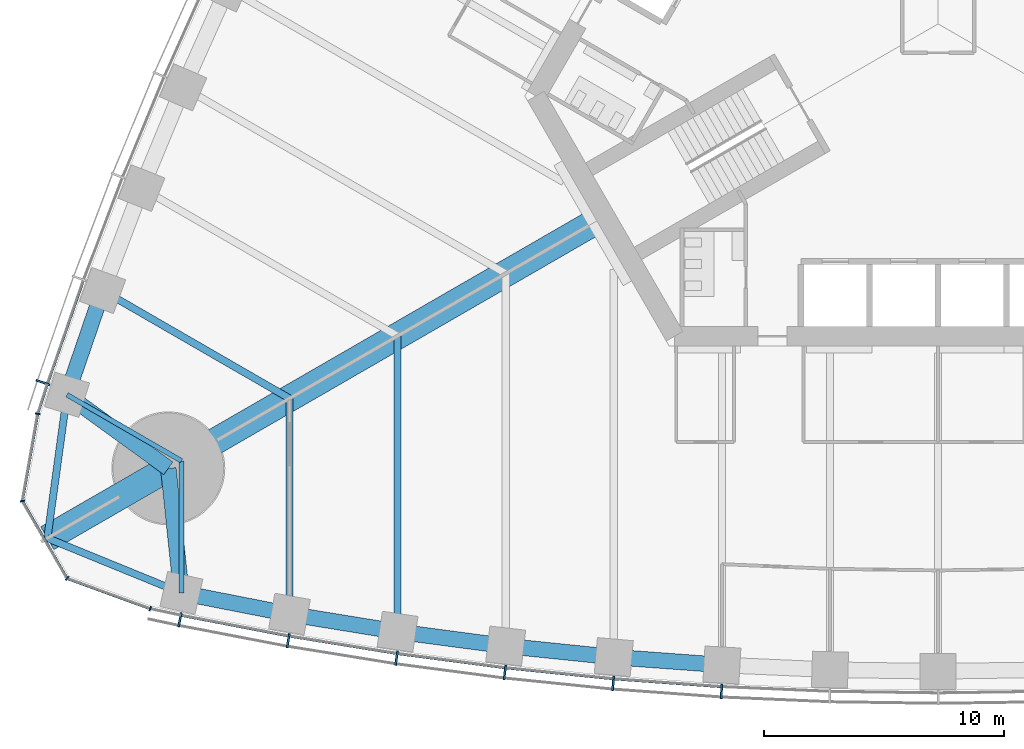
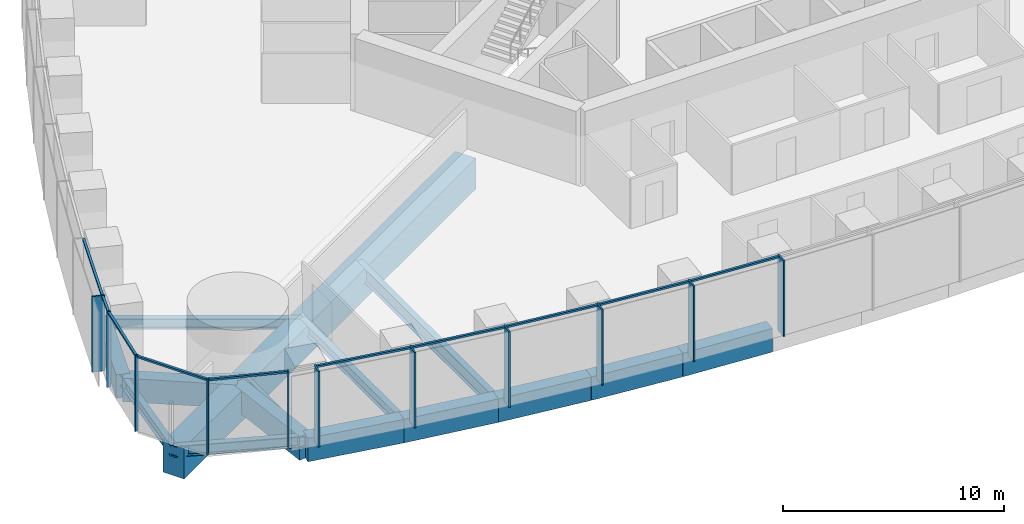
# One storey, part 2 of 18: 21 members, 17 beams, 3 elements without a shape of their own.
"""IFC4 building model written with IfcOpenShell, lengths in metres."""

from ifc_helpers import new_model, si_unit, direction, frame, origin, origin_2d, place, context, subcontext, project, spatial, rectangle, i_section, extrude, material, material_profile, profile_set, type_object, element, aggregate, save


model = new_model("IFC4")

# Units and contexts
model_context = context("Model", 3, precision=1e-05, world=origin(), true_north=direction((0.0, 1.0)))
body_context = subcontext(model_context, "Body", "Model", "MODEL_VIEW")
ifc_project = project(units=[si_unit("LENGTHUNIT", "METRE"), si_unit("AREAUNIT", "SQUARE_METRE"), si_unit("VOLUMEUNIT", "CUBIC_METRE"), si_unit("PLANEANGLEUNIT", "RADIAN"), si_unit("MASSUNIT", "GRAM", prefix="KILO")], contexts=[model_context])

# Site, building, storey
site_placement = place(None, origin())
site = spatial("IfcSite", under=ifc_project, at=site_placement, CompositionType="ELEMENT")
building_placement = place(site_placement, origin())
building = spatial("IfcBuilding", under=site, at=building_placement, Name="Trefoil Bronze Tower", CompositionType="ELEMENT")
storey_placement = place(building_placement, frame((0.0, 0.0, 41.699951171875)))
storey = spatial("IfcBuildingStorey", under=building, at=storey_placement, Name="L09", CompositionType="ELEMENT", Elevation=41.699951171875)

# Curtain wall, members
ifc_material_1 = material(Name="Tinted solar-control glass", Category="glass")
curtain_wall_type_1 = type_object("IfcCurtainWallType", Name="Bronze office curtain wall", PredefinedType="USERDEFINED", material=ifc_material_1)
curtain_wall_1_placement = place(storey_placement, origin())
curtain_wall_1 = element("IfcCurtainWall", 1, at=curtain_wall_1_placement, inside=storey, type_object=curtain_wall_type_1, Name="CW-A L09 F1", ObjectType="CURTAIN WALL", PredefinedType="USERDEFINED")
ifc_material_2 = material(Name="Bronze-finish aluminium", Category="aluminium")
ifc_material_profile_1 = material_profile(ifc_material_2, rectangle(XDim=0.60009765625, YDim=0.080078125, at=origin_2d()), Name="CW-A mullion")
ifc_profile_set_1 = profile_set([ifc_material_profile_1], Name="Bronze-finish aluminium")
member_type_1 = type_object("IfcMemberType", Name="Bronze office curtain wall mullion", PredefinedType="MULLION", material=ifc_profile_set_1)
member_1_placement = place(storey_placement, frame((-31.559326171875, -24.81005859375, 0.0), z_axis=(0.0, 0.0, 1.0), x_axis=(0.197910006829, 0.98022019424, 0.0)))
member_1 = element("IfcMember", 2, at=member_1_placement, type_object=member_type_1, Name="CW-A L09 F1 mullion 2", PredefinedType="MULLION", context=body_context, shape_type="SweptSolid", body=[
    extrude(rectangle(XDim=0.60009765625, YDim=0.080078125, at=origin_2d()), origin(), (0.0, 0.0, 1.0), 4.179931640625),
])
member_2_placement = place(storey_placement, frame((-27.05224609375, -25.67578125, 0.0), z_axis=(0.0, 0.0, 1.0), x_axis=(0.174131146426, 0.984722470468, 0.0)))
member_2 = element("IfcMember", 3, at=member_2_placement, type_object=member_type_1, Name="CW-A L09 F1 mullion 3", PredefinedType="MULLION", context=body_context, shape_type="SweptSolid", body=[
    extrude(rectangle(XDim=0.60009765625, YDim=0.080078125, at=origin_2d()), origin(), (0.0, 0.0, 1.0), 4.179931640625),
])
member_3_placement = place(storey_placement, frame((-22.54345703125, -26.40478515625, 0.0), z_axis=(0.0, 0.0, 1.0), x_axis=(0.145108990094, 0.989415676546, 0.0)))
member_3 = element("IfcMember", 4, at=member_3_placement, type_object=member_type_1, Name="CW-A L09 F1 mullion 4", PredefinedType="MULLION", context=body_context, shape_type="SweptSolid", body=[
    extrude(rectangle(XDim=0.60009765625, YDim=0.080078125, at=origin_2d()), origin(), (0.0, 0.0, 1.0), 4.179931640625),
])
member_4_placement = place(storey_placement, frame((-18.034912109375, -26.99853515625, 0.0), z_axis=(0.0, 0.0, 1.0), x_axis=(0.116086999973, 0.993239048989, 0.0)))
member_4 = element("IfcMember", 5, at=member_4_placement, type_object=member_type_1, Name="CW-A L09 F1 mullion 5", PredefinedType="MULLION", context=body_context, shape_type="SweptSolid", body=[
    extrude(rectangle(XDim=0.60009765625, YDim=0.080078125, at=origin_2d()), origin(), (0.0, 0.0, 1.0), 4.179931640625),
])
member_5_placement = place(storey_placement, frame((-13.526123046875, -27.458984375, 0.0), z_axis=(0.0, 0.0, 1.0), x_axis=(0.087065139456, 0.996202620701, 0.0)))
member_5 = element("IfcMember", 6, at=member_5_placement, type_object=member_type_1, Name="CW-A L09 F1 mullion 6", PredefinedType="MULLION", context=body_context, shape_type="SweptSolid", body=[
    extrude(rectangle(XDim=0.60009765625, YDim=0.080078125, at=origin_2d()), origin(), (0.0, 0.0, 1.0), 4.179931640625),
])
member_6_placement = place(storey_placement, frame((-9.017333984375, -27.786865234375, 0.0), z_axis=(0.0, 0.0, 1.0), x_axis=(0.058043374207, 0.998314062162, 0.0)))
member_6 = element("IfcMember", 7, at=member_6_placement, type_object=member_type_1, Name="CW-A L09 F1 mullion 7", PredefinedType="MULLION", context=body_context, shape_type="SweptSolid", body=[
    extrude(rectangle(XDim=0.60009765625, YDim=0.080078125, at=origin_2d()), origin(), (0.0, 0.0, 1.0), 4.179931640625),
])

# Curtain wall, member
curtain_wall_2_placement = place(storey_placement, origin())
curtain_wall_2 = element("IfcCurtainWall", 8, at=curtain_wall_2_placement, inside=storey, type_object=curtain_wall_type_1, Name="CW-A L09 F3", ObjectType="CURTAIN WALL", PredefinedType="USERDEFINED")
member_7_placement = place(storey_placement, frame((-37.265869140625, -14.92626953125, 0.0), z_axis=(0.0, 0.0, 1.0), x_axis=(0.947850592929, -0.318715003543, 0.0)))
member_7 = element("IfcMember", 9, at=member_7_placement, type_object=member_type_1, Name="CW-A L09 F3 mullion 16", PredefinedType="MULLION", context=body_context, shape_type="SweptSolid", body=[
    extrude(rectangle(XDim=0.60009765625, YDim=0.080078125, at=origin_2d()), origin(), (0.0, 0.0, 1.0), 4.179931640625),
])

# Member
ifc_material_3 = material(Name="Bronze-finish aluminium", Category="aluminium")
ifc_material_profile_2 = material_profile(ifc_material_3, rectangle(XDim=0.1201171875, YDim=0.10009765625, at=origin_2d()), Name="CW-A transom")
ifc_profile_set_2 = profile_set([ifc_material_profile_2], Name="Bronze-finish aluminium")
member_type_2 = type_object("IfcMemberType", Name="Bronze office curtain wall transom", PredefinedType="USERDEFINED", material=ifc_profile_set_2)
member_8_placement = place(storey_placement, frame((-31.4794921875, -24.621826171875, 4.130126953125), z_axis=(0.982053603997, -0.188602011855, 0.0), x_axis=(0.188602011855, 0.982053603997, 0.0)))
member_8 = element("IfcMember", 10, at=member_8_placement, type_object=member_type_2, Name="CW-A L09 F1 transom 2", ObjectType="TRANSOM", PredefinedType="USERDEFINED", context=body_context, shape_type="SweptSolid", body=[
    extrude(rectangle(XDim=0.1201171875, YDim=0.10009765625, at=origin_2d()), origin(), (0.0, 0.0, 1.0), 4.502197265625),
])

member_9_placement = place(storey_placement, frame((-26.9765625, -25.4853515625, 4.130126953125), z_axis=(0.987179401487, -0.159614627398, 0.0), x_axis=(0.159614627398, 0.987179401487, 0.0)))
member_9 = element("IfcMember", 11, at=member_9_placement, type_object=member_type_2, Name="CW-A L09 F1 transom 3", ObjectType="TRANSOM", PredefinedType="USERDEFINED", context=body_context, shape_type="SweptSolid", body=[
    extrude(rectangle(XDim=0.1201171875, YDim=0.10009765625, at=origin_2d()), origin(), (0.0, 0.0, 1.0), 4.478515625),
])

member_10_placement = place(storey_placement, frame((-22.473388671875, -26.212158203125, 4.130126953125), z_axis=(0.991436581643, -0.13058906761, 0.0), x_axis=(0.13058906761, 0.991436581643, 0.0)))
member_10 = element("IfcMember", 12, at=member_10_placement, type_object=member_type_2, Name="CW-A L09 F1 transom 4", ObjectType="TRANSOM", PredefinedType="USERDEFINED", context=body_context, shape_type="SweptSolid", body=[
    extrude(rectangle(XDim=0.1201171875, YDim=0.10009765625, at=origin_2d()), origin(), (0.0, 0.0, 1.0), 4.458740234375),
])

member_11_placement = place(storey_placement, frame((-17.970458984375, -26.80419921875, 4.130126953125), z_axis=(0.994831650915, -0.101538102888, 0.0), x_axis=(0.101538102888, 0.994831650915, 0.0)))
member_11 = element("IfcMember", 13, at=member_11_placement, type_object=member_type_2, Name="CW-A L09 F1 transom 5", ObjectType="TRANSOM", PredefinedType="USERDEFINED", context=body_context, shape_type="SweptSolid", body=[
    extrude(rectangle(XDim=0.1201171875, YDim=0.10009765625, at=origin_2d()), origin(), (0.0, 0.0, 1.0), 4.443359375),
])

member_12_placement = place(storey_placement, frame((-13.46728515625, -27.2626953125, 4.130126953125), z_axis=(0.997364729945, -0.07255064067, 0.0), x_axis=(0.07255064067, 0.997364729945, 0.0)))
member_12 = element("IfcMember", 14, at=member_12_placement, type_object=member_type_2, Name="CW-A L09 F1 transom 6", ObjectType="TRANSOM", PredefinedType="USERDEFINED", context=body_context, shape_type="SweptSolid", body=[
    extrude(rectangle(XDim=0.1201171875, YDim=0.10009765625, at=origin_2d()), origin(), (0.0, 0.0, 1.0), 4.431884765625),
])

aggregate(curtain_wall_1, [member_1, member_2, member_3, member_4, member_5, member_6, member_8, member_9, member_10, member_11, member_12])

member_13_placement = place(storey_placement, frame((-35.587646484375, -10.697509765625, 4.130126953125), z_axis=(-0.327689728493, -0.944785394595, 0.0), x_axis=(0.944785394595, -0.327689728493, 0.0)))
member_13 = element("IfcMember", 15, at=member_13_placement, type_object=member_type_2, Name="CW-A L09 F3 transom 15", ObjectType="TRANSOM", PredefinedType="USERDEFINED", context=body_context, shape_type="SweptSolid", body=[
    extrude(rectangle(XDim=0.1201171875, YDim=0.10009765625, at=origin_2d()), origin(), (0.0, 0.0, 1.0), 4.502197265625),
])

member_14_placement = place(storey_placement, frame((-37.089111328125, -15.02880859375, 4.130126953125), z_axis=(-0.309624219148, -0.950859002648, 0.0), x_axis=(0.950859002648, -0.309624219148, 0.0)))
member_14 = element("IfcMember", 16, at=member_14_placement, type_object=member_type_2, Name="CW-A L09 F3 transom 16", ObjectType="TRANSOM", PredefinedType="USERDEFINED", context=body_context, shape_type="SweptSolid", body=[
    extrude(rectangle(XDim=0.1201171875, YDim=0.10009765625, at=origin_2d()), origin(), (0.0, 0.0, 1.0), 1.21044921875),
])

aggregate(curtain_wall_2, [member_7, member_13, member_14])

# Curtain wall, members
ifc_material_4 = material(Name="Tinted solar-control glass", Category="glass")
curtain_wall_type_2 = type_object("IfcCurtainWallType", Name="Bronze rounded corner curtain wall", PredefinedType="USERDEFINED", material=ifc_material_4)
curtain_wall_3_placement = place(storey_placement, origin())
curtain_wall_3 = element("IfcCurtainWall", 17, at=curtain_wall_3_placement, inside=storey, type_object=curtain_wall_type_2, Name="CW-B L09 K3", ObjectType="CURTAIN WALL", PredefinedType="USERDEFINED")
ifc_material_5 = material(Name="Bronze-finish aluminium", Category="aluminium")
ifc_material_profile_3 = material_profile(ifc_material_5, rectangle(XDim=0.199951171875, YDim=0.06005859375, at=origin_2d()), Name="CW-B mullion")
ifc_profile_set_3 = profile_set([ifc_material_profile_3], Name="Bronze-finish aluminium")
member_type_3 = type_object("IfcMemberType", Name="Bronze rounded corner curtain wall mullion", PredefinedType="MULLION", material=ifc_profile_set_3)
member_15_placement = place(storey_placement, frame((-37.479736328125, -16.2314453125, 0.0), z_axis=(0.0, 0.0, 1.0), x_axis=(0.984807753012, -0.173648177667, 0.0)))
member_15 = element("IfcMember", 18, at=member_15_placement, type_object=member_type_3, Name="CW-B L09 K3 mullion 1", PredefinedType="MULLION", context=body_context, shape_type="SweptSolid", body=[
    extrude(rectangle(XDim=0.199951171875, YDim=0.06005859375, at=origin_2d()), origin(), (0.0, 0.0, 1.0), 4.179931640625),
])
member_16_placement = place(storey_placement, frame((-38.11328125, -19.85888671875, 0.0), z_axis=(0.0, 0.0, 1.0), x_axis=(0.984807753012, 0.173648177667, 0.0)))
member_16 = element("IfcMember", 19, at=member_16_placement, type_object=member_type_3, Name="CW-B L09 K3 mullion 2", PredefinedType="MULLION", context=body_context, shape_type="SweptSolid", body=[
    extrude(rectangle(XDim=0.199951171875, YDim=0.06005859375, at=origin_2d()), origin(), (0.0, 0.0, 1.0), 4.179931640625),
])
member_17_placement = place(storey_placement, frame((-36.2548828125, -23.07763671875, 0.0), z_axis=(0.0, 0.0, 1.0), x_axis=(0.642787609687, 0.766044443119, 0.0)))
member_17 = element("IfcMember", 20, at=member_17_placement, type_object=member_type_3, Name="CW-B L09 K3 mullion 3", PredefinedType="MULLION", context=body_context, shape_type="SweptSolid", body=[
    extrude(rectangle(XDim=0.199951171875, YDim=0.06005859375, at=origin_2d()), origin(), (0.0, 0.0, 1.0), 4.179931640625),
])
member_18_placement = place(storey_placement, frame((-32.796630859375, -24.3427734375, 0.0), z_axis=(0.0, 0.0, 1.0), x_axis=(0.342020143326, 0.939692620786, 0.0)))
member_18 = element("IfcMember", 21, at=member_18_placement, type_object=member_type_3, Name="CW-B L09 K3 mullion 4", PredefinedType="MULLION", context=body_context, shape_type="SweptSolid", body=[
    extrude(rectangle(XDim=0.199951171875, YDim=0.06005859375, at=origin_2d()), origin(), (0.0, 0.0, 1.0), 4.179931640625),
])
ifc_material_6 = material(Name="Bronze-finish aluminium", Category="aluminium")
ifc_material_profile_4 = material_profile(ifc_material_6, rectangle(XDim=0.1201171875, YDim=0.10009765625, at=origin_2d()), Name="CW-B transom")
ifc_profile_set_4 = profile_set([ifc_material_profile_4], Name="Bronze-finish aluminium")
member_type_4 = type_object("IfcMemberType", Name="Bronze rounded corner curtain wall transom", PredefinedType="USERDEFINED", material=ifc_profile_set_4)
member_19_placement = place(storey_placement, frame((-37.48486328125, -16.260986328125, 4.130126953125), z_axis=(-0.17363783606, -0.984809576461, 0.0), x_axis=(0.984809576461, -0.17363783606, 0.0)))
member_19 = element("IfcMember", 22, at=member_19_placement, type_object=member_type_4, Name="CW-B L09 K3 transom 1", ObjectType="TRANSOM", PredefinedType="USERDEFINED", context=body_context, shape_type="SweptSolid", body=[
    extrude(rectangle(XDim=0.1201171875, YDim=0.10009765625, at=origin_2d()), origin(), (0.0, 0.0, 1.0), 3.588134765625),
])
member_20_placement = place(storey_placement, frame((-38.08642578125, -19.91748046875, 4.130126953125), z_axis=(0.500024788772, -0.866011091507, 0.0), x_axis=(0.866011091507, 0.500024788772, 0.0)))
member_20 = element("IfcMember", 23, at=member_20_placement, type_object=member_type_4, Name="CW-B L09 K3 transom 2", ObjectType="TRANSOM", PredefinedType="USERDEFINED", context=body_context, shape_type="SweptSolid", body=[
    extrude(rectangle(XDim=0.1201171875, YDim=0.10009765625, at=origin_2d()), origin(), (0.0, 0.0, 1.0), 3.588134765625),
])
member_21_placement = place(storey_placement, frame((-36.196533203125, -23.105224609375, 4.130126953125), z_axis=(0.939688092095, -0.342032585545, 0.0), x_axis=(0.342032585545, 0.939688092095, 0.0)))
member_21 = element("IfcMember", 24, at=member_21_placement, type_object=member_type_4, Name="CW-B L09 K3 transom 3", ObjectType="TRANSOM", PredefinedType="USERDEFINED", context=body_context, shape_type="SweptSolid", body=[
    extrude(rectangle(XDim=0.1201171875, YDim=0.10009765625, at=origin_2d()), origin(), (0.0, 0.0, 1.0), 3.588134765625),
])
aggregate(curtain_wall_3, [member_15, member_16, member_17, member_18, member_19, member_20, member_21])

# Beams
ifc_material_7 = material(Name="Concrete B80", Category="concrete")
ifc_material_profile_5 = material_profile(ifc_material_7, rectangle(XDim=1.10009765625, YDim=1.699951171875, at=origin_2d()), Name="RC 1100x1700")
ifc_profile_set_5 = profile_set([ifc_material_profile_5], Name="Concrete B80")
beam_type_1 = type_object("IfcBeamType", Name="Corner cantilever RC 1100x1700", PredefinedType="BEAM", material=ifc_profile_set_5)
beam_1_placement = place(storey_placement, frame((-32.04296875, -18.5, -1.050048828125), z_axis=(-0.866030348588, -0.499991435252, 0.0), x_axis=(0.499991435252, -0.866030348588, 0.0)))
element("IfcBeam", 25, at=beam_1_placement, inside=storey, type_object=beam_type_1, Name="Corner cantilever K3 L09", PredefinedType="BEAM", context=body_context, shape_type="SweptSolid", body=[
    extrude(rectangle(XDim=1.10009765625, YDim=1.699951171875, at=origin_2d()), origin(), (0.0, 0.0, 1.0), 5.81396484375),
])
ifc_material_8 = material(Name="Steel C355", Category="steel")
ifc_material_profile_6 = material_profile(ifc_material_8, i_section(OverallWidth=0.300048828125, OverallDepth=0.60009765625, WebThickness=0.015380859375, FlangeThickness=0.030029296875, FilletRadius=0.027099609375, at=origin_2d()), Name="HEB 600")
ifc_profile_set_6 = profile_set([ifc_material_profile_6], Name="Steel C355")
beam_type_2 = type_object("IfcBeamType", Name="Corner edge beam HEB 600", PredefinedType="BEAM", material=ifc_profile_set_6)
beam_2_placement = place(storey_placement, frame((-31.5, -23.684814453125, -0.5), z_axis=(-0.925786874353, 0.378045848114, 0.0), x_axis=(-0.378045848114, -0.925786874353, 0.0)))
element("IfcBeam", 26, at=beam_2_placement, inside=storey, type_object=beam_type_2, Name="Corner edge beam F1B L09", PredefinedType="BEAM", context=body_context, shape_type="SweptSolid", body=[
    extrude(i_section(OverallWidth=0.300048828125, OverallDepth=0.60009765625, WebThickness=0.015380859375, FlangeThickness=0.030029296875, FilletRadius=0.027099609375, at=origin_2d()), origin(), (0.0, 0.0, 1.0), 6.025390625),
])
beam_3_placement = place(storey_placement, frame((-36.26171875, -15.4375, -0.5), z_axis=(-0.13550196505, -0.990777077585, 0.0), x_axis=(0.990777077585, -0.13550196505, 0.0)))
element("IfcBeam", 27, at=beam_3_placement, inside=storey, type_object=beam_type_2, Name="Corner edge beam F3A L09", PredefinedType="BEAM", context=body_context, shape_type="SweptSolid", body=[
    extrude(i_section(OverallWidth=0.300048828125, OverallDepth=0.60009765625, WebThickness=0.015380859375, FlangeThickness=0.030029296875, FilletRadius=0.027099609375, at=origin_2d()), origin(), (0.0, 0.0, 1.0), 6.025146484375),
])
ifc_material_9 = material(Name="Concrete B80", Category="concrete")
ifc_material_profile_7 = material_profile(ifc_material_9, rectangle(XDim=1.10009765625, YDim=1.699951171875, at=origin_2d()), Name="RC 1100x1700")
ifc_profile_set_7 = profile_set([ifc_material_profile_7], Name="Concrete B80")
beam_type_3 = type_object("IfcBeamType", Name="Corner girder RC 1100x1700", PredefinedType="BEAM", material=ifc_profile_set_7)
beam_4_placement = place(storey_placement, frame((-14.202880859375, -8.199951171875, -1.050048828125), z_axis=(-0.866023947468, -0.500002522405, 0.0), x_axis=(0.500002522405, -0.866023947468, 0.0)))
element("IfcBeam", 28, at=beam_4_placement, inside=storey, type_object=beam_type_3, Name="Corner girder K3 L09", PredefinedType="BEAM", context=body_context, shape_type="SweptSolid", body=[
    extrude(rectangle(XDim=1.10009765625, YDim=1.699951171875, at=origin_2d()), origin(), (0.0, 0.0, 1.0), 20.60009765625),
])
ifc_material_10 = material(Name="Concrete B80", Category="concrete")
ifc_material_profile_8 = material_profile(ifc_material_10, rectangle(XDim=0.64990234375, YDim=1.300048828125, at=origin_2d()), Name="RC 650x1300")
ifc_profile_set_8 = profile_set([ifc_material_profile_8], Name="Concrete B80")
beam_type_4 = type_object("IfcBeamType", Name="End spandrel beam RC 650x1300", PredefinedType="SPANDREL", material=ifc_profile_set_8)
for number, where, z_axis, x_axis, name in (
    (29, (-32.04296875, -18.5, -0.849853515625), (0.104153327908, -0.994561252154, 0.0), (0.994561252154, 0.104153327908, 0.0), "Spandrel F1.1 L09"),
    (30, (-36.26171875, -15.4375, -0.849853515625), (0.809254211267, -0.587458612624, 0.0), (0.587458612624, 0.809254211267, 0.0), "Spandrel F3.16 L09"),
):
    element("IfcBeam", number, at=place(storey_placement, frame(where, z_axis=z_axis, x_axis=x_axis)), inside=storey, type_object=beam_type_4, Name=name, PredefinedType="SPANDREL", context=body_context, shape_type="SweptSolid", body=[
        extrude(rectangle(XDim=0.64990234375, YDim=1.300048828125, at=origin_2d()), origin(), (0.0, 0.0, 1.0), 5.213134765625),
    ])
ifc_material_11 = material(Name="Steel C355", Category="steel")
ifc_material_profile_9 = material_profile(ifc_material_11, i_section(OverallWidth=0.300048828125, OverallDepth=0.590087890625, WebThickness=0.012939453125, FlangeThickness=0.02490234375, FilletRadius=0.027099609375, at=origin_2d()), Name="HEA 600")
ifc_profile_set_9 = profile_set([ifc_material_profile_9], Name="Steel C355")
beam_type_5 = type_object("IfcBeamType", Name="Floor beam HEA 600", PredefinedType="BEAM", material=ifc_profile_set_9)
for number, where, z_axis, x_axis, name in (
    (31, (-27.0, -24.56787109375, -0.494873046875), (0.0, 1.0, 0.0), (-1.0, 0.0, 0.0), "Floor beam F1/-6 L09"),
    (32, (-34.7763671875, -11.0986328125, -0.494873046875), (0.866022587327, -0.500004878216, 0.0), (0.500004878216, 0.866022587327, 0.0), "Floor beam F3/+6 L09"),
):
    element("IfcBeam", number, at=place(storey_placement, frame(where, z_axis=z_axis, x_axis=x_axis)), inside=storey, type_object=beam_type_5, Name=name, PredefinedType="BEAM", context=body_context, shape_type="SweptSolid", body=[
        extrude(i_section(OverallWidth=0.300048828125, OverallDepth=0.590087890625, WebThickness=0.012939453125, FlangeThickness=0.02490234375, FilletRadius=0.027099609375, at=origin_2d()), origin(), (0.0, 0.0, 1.0), 8.9794921875),
    ])
ifc_material_12 = material(Name="Steel C355", Category="steel")
ifc_material_profile_10 = material_profile(ifc_material_12, i_section(OverallWidth=0.300048828125, OverallDepth=0.800048828125, WebThickness=0.017578125, FlangeThickness=0.032958984375, FilletRadius=0.030029296875, at=origin_2d()), Name="HEB 800")
ifc_profile_set_10 = profile_set([ifc_material_profile_10], Name="Steel C355")
beam_type_6 = type_object("IfcBeamType", Name="Floor beam HEB 800", PredefinedType="BEAM", material=ifc_profile_set_10)
beam_5_placement = place(storey_placement, frame((-22.5, -25.29931640625, -0.599853515625), z_axis=(0.0, 1.0, 0.0), x_axis=(-1.0, 0.0, 0.0)))
element("IfcBeam", 33, at=beam_5_placement, inside=storey, type_object=beam_type_6, Name="Floor beam F1/-5 L09", PredefinedType="BEAM", context=body_context, shape_type="SweptSolid", body=[
    extrude(i_section(OverallWidth=0.300048828125, OverallDepth=0.800048828125, WebThickness=0.017578125, FlangeThickness=0.032958984375, FilletRadius=0.030029296875, at=origin_2d()), origin(), (0.0, 0.0, 1.0), 12.308837890625),
])
ifc_material_13 = material(Name="Steel C355", Category="steel")
ifc_material_profile_11 = material_profile(ifc_material_13, i_section(OverallWidth=0.199951171875, OverallDepth=0.5, WebThickness=0.01025390625, FlangeThickness=0.01611328125, FilletRadius=0.02099609375, at=origin_2d()), Name="IPE 500")
ifc_profile_set_11 = profile_set([ifc_material_profile_11], Name="Steel C355")
beam_type_7 = type_object("IfcBeamType", Name="Floor beam IPE 500", PredefinedType="BEAM", material=ifc_profile_set_11)
for number, where, z_axis, x_axis, name in (
    (34, (-31.5, -23.684814453125, -0.449951171875), (0.0, 1.0, 0.0), (-1.0, 0.0, 0.0), "Floor beam F1/-7 L09"),
    (35, (-36.26171875, -15.4375, -0.449951171875), (0.866037702141, -0.499978698016, 0.0), (0.499978698016, 0.866037702141, 0.0), "Floor beam F3/+7 L09"),
):
    element("IfcBeam", number, at=place(storey_placement, frame(where, z_axis=z_axis, x_axis=x_axis)), inside=storey, type_object=beam_type_7, Name=name, PredefinedType="BEAM", context=body_context, shape_type="SweptSolid", body=[
        extrude(i_section(OverallWidth=0.199951171875, OverallDepth=0.5, WebThickness=0.01025390625, FlangeThickness=0.01611328125, FilletRadius=0.02099609375, at=origin_2d()), origin(), (0.0, 0.0, 1.0), 5.498291015625),
    ])
ifc_material_14 = material(Name="Concrete B80", Category="concrete")
ifc_material_profile_12 = material_profile(ifc_material_14, rectangle(XDim=0.64990234375, YDim=1.300048828125, at=origin_2d()), Name="RC 650x1300")
ifc_profile_set_12 = profile_set([ifc_material_profile_12], Name="Concrete B80")
beam_type_8 = type_object("IfcBeamType", Name="Spandrel beam RC 650x1300", PredefinedType="SPANDREL", material=ifc_profile_set_12)
beam_6_placement = place(storey_placement, frame((-31.5, -23.684814453125, -0.849853515625), z_axis=(0.981284764092, -0.192562228283, 0.0), x_axis=(0.192562228283, 0.981284764092, 0.0)))
element("IfcBeam", 36, at=beam_6_placement, inside=storey, type_object=beam_type_8, Name="Spandrel F1.2 L09", PredefinedType="SPANDREL", context=body_context, shape_type="SweptSolid", body=[
    extrude(rectangle(XDim=0.64990234375, YDim=1.300048828125, at=origin_2d()), origin(), (0.0, 0.0, 1.0), 4.5859375),
])
beam_7_placement = place(storey_placement, frame((-27.0, -24.56787109375, -0.849853515625), z_axis=(0.987045951254, -0.160437807615, 0.0), x_axis=(0.160437807615, 0.987045951254, 0.0)))
element("IfcBeam", 37, at=beam_7_placement, inside=storey, type_object=beam_type_8, Name="Spandrel F1.3 L09", PredefinedType="SPANDREL", context=body_context, shape_type="SweptSolid", body=[
    extrude(rectangle(XDim=0.64990234375, YDim=1.300048828125, at=origin_2d()), origin(), (0.0, 0.0, 1.0), 4.55908203125),
])
beam_8_placement = place(storey_placement, frame((-22.5, -25.29931640625, -0.849853515625), z_axis=(0.991344474846, -0.131286450906, 0.0), x_axis=(0.131286450906, 0.991344474846, 0.0)))
element("IfcBeam", 38, at=beam_8_placement, inside=storey, type_object=beam_type_8, Name="Spandrel F1.4 L09", PredefinedType="SPANDREL", context=body_context, shape_type="SweptSolid", body=[
    extrude(rectangle(XDim=0.64990234375, YDim=1.300048828125, at=origin_2d()), origin(), (0.0, 0.0, 1.0), 4.539306640625),
])
beam_9_placement = place(storey_placement, frame((-18.0, -25.895263671875, -0.849853515625), z_axis=(0.994778488621, -0.102057623805, 0.0), x_axis=(0.102057623805, 0.994778488621, 0.0)))
element("IfcBeam", 39, at=beam_9_placement, inside=storey, type_object=beam_type_8, Name="Spandrel F1.5 L09", PredefinedType="SPANDREL", context=body_context, shape_type="SweptSolid", body=[
    extrude(rectangle(XDim=0.64990234375, YDim=1.300048828125, at=origin_2d()), origin(), (0.0, 0.0, 1.0), 4.523681640625),
])
beam_10_placement = place(storey_placement, frame((-13.5, -26.35693359375, -0.849853515625), z_axis=(0.997336412354, -0.072938882588, 0.0), x_axis=(0.072938882588, 0.997336412354, 0.0)))
element("IfcBeam", 40, at=beam_10_placement, inside=storey, type_object=beam_type_8, Name="Spandrel F1.6 L09", PredefinedType="SPANDREL", context=body_context, shape_type="SweptSolid", body=[
    extrude(rectangle(XDim=0.64990234375, YDim=1.300048828125, at=origin_2d()), origin(), (0.0, 0.0, 1.0), 4.511962890625),
])
beam_11_placement = place(storey_placement, frame((-34.7763671875, -11.0986328125, -0.849853515625), z_axis=(-0.323883319148, -0.946097032855, 0.0), x_axis=(0.946097032855, -0.323883319148, 0.0)))
element("IfcBeam", 41, at=beam_11_placement, inside=storey, type_object=beam_type_8, Name="Spandrel F3.15 L09", PredefinedType="SPANDREL", context=body_context, shape_type="SweptSolid", body=[
    extrude(rectangle(XDim=0.64990234375, YDim=1.300048828125, at=origin_2d()), origin(), (0.0, 0.0, 1.0), 4.586181640625),
])

save(model, "model.ifc")
